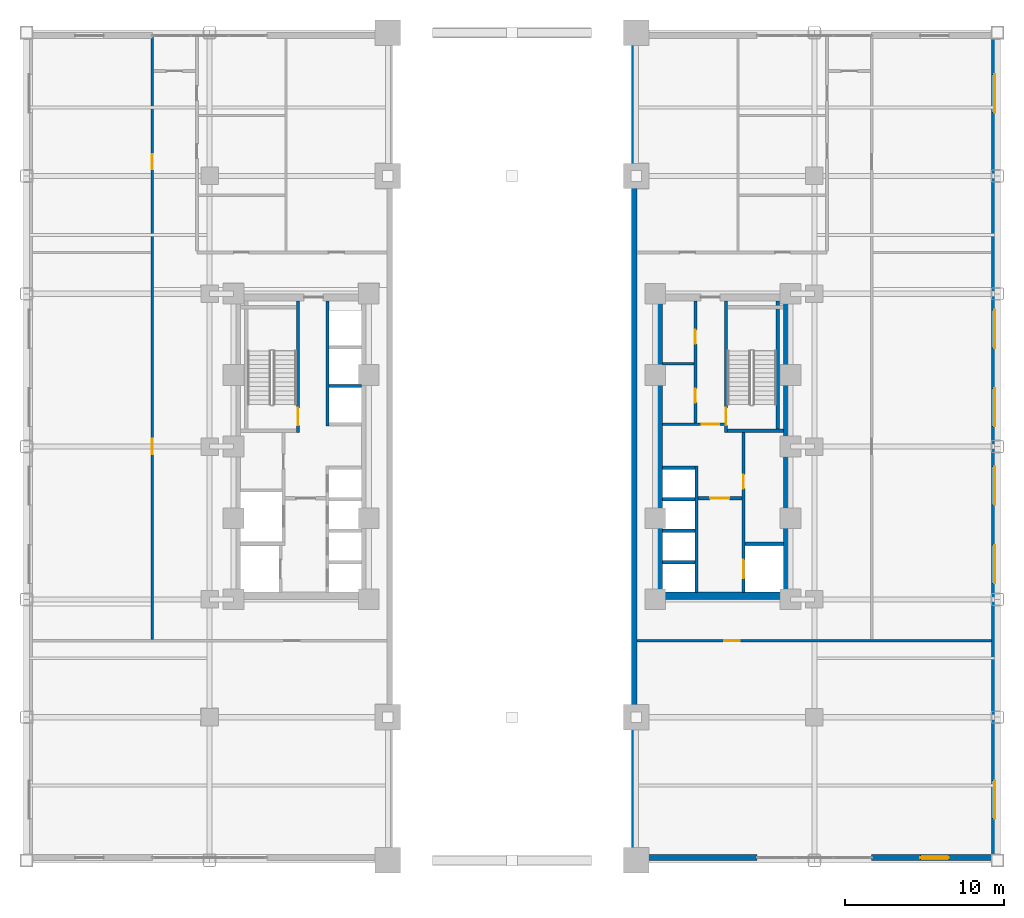
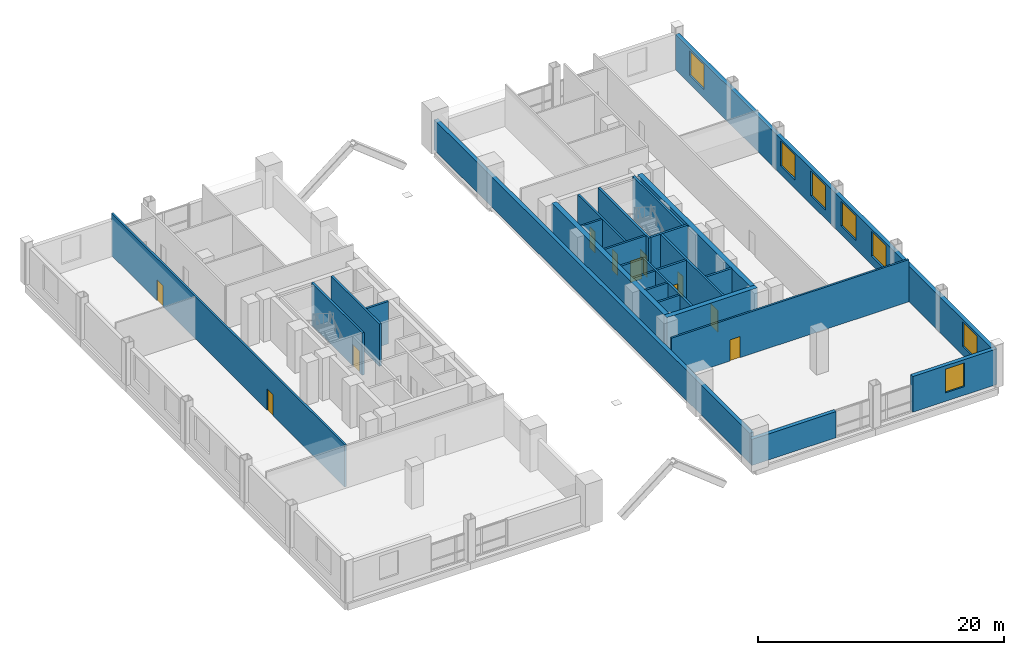
# One storey, part 4 of 14: 26 walls, 11 doors, 7 windows, 18 openings.
"""IFC4 building model written with IfcOpenShell, lengths in metres."""

from ifc_helpers import new_model, si_unit, direction, frame, frame_2d, origin, place, context, subcontext, project, spatial, rectangle, extrude, source, transform, mapped, material, layer, layer_set, type_object, type_shapes, element, fill, save


model = new_model("IFC4")

# Units and contexts
model_context = context("Model", 3, precision=1e-05, world=origin(), true_north=direction((0.0, 1.0)))
body_context = subcontext(model_context, "Body", "Model", "MODEL_VIEW")
ifc_project = project(units=[si_unit("LENGTHUNIT", "METRE"), si_unit("AREAUNIT", "SQUARE_METRE"), si_unit("VOLUMEUNIT", "CUBIC_METRE"), si_unit("PLANEANGLEUNIT", "RADIAN"), si_unit("MASSUNIT", "GRAM", prefix="KILO")], contexts=[model_context])

# Site, building, storey
site_placement = place(None, origin())
site = spatial("IfcSite", under=ifc_project, at=site_placement, CompositionType="ELEMENT")
building_placement = place(site_placement, origin())
building = spatial("IfcBuilding", under=site, at=building_placement, Name="Nuvemarco Arch Tower", CompositionType="ELEMENT")
storey_placement = place(building_placement, frame((0.0, 0.0, 13.800048828125)))
storey = spatial("IfcBuildingStorey", under=building, at=storey_placement, Name="L03", CompositionType="ELEMENT", Elevation=13.800048828125)

# Wall
ifc_material_1 = material(Name="Precast concrete C45/55", Category="concrete")
ifc_layer_1 = layer(ifc_material_1, 0.360107421875, Name="EW-POD-360")
ifc_layer_set_1 = layer_set([ifc_layer_1], Name="Precast concrete C45/55")
wall_type_1 = type_object("IfcWallType", Name="EW-POD-360", PredefinedType="STANDARD", material=ifc_layer_set_1)
wall_1_placement = place(storey_placement, frame((7.5, -25.820068359375, 0.0), z_axis=(0.0, 0.0, 1.0), x_axis=(1.0, 0.0, 0.0)))
element("IfcWall", 1, at=wall_1_placement, inside=storey, type_object=wall_type_1, Name="L03 exterior precast pier wall south left", PredefinedType="STANDARD", context=body_context, shape_type="SweptSolid", body=[
    extrude(rectangle(XDim=7.89990234375, YDim=0.360107421875, at=frame_2d((3.949951171875, 0.0))), origin(), (0.0, 0.0, 1.0), 2.5849609375),
])

# Wall, opening, window
wall_2_placement = place(storey_placement, frame((22.60009765625, -25.820068359375, 0.0), z_axis=(0.0, 0.0, 1.0), x_axis=(1.0, 0.0, 0.0)))
wall_2 = element("IfcWall", 2, at=wall_2_placement, inside=storey, type_object=wall_type_1, Name="L03 exterior precast pier wall south right", PredefinedType="STANDARD", context=body_context, shape_type="SweptSolid", body=[
    extrude(rectangle(XDim=7.89990234375, YDim=0.360107421875, at=frame_2d((3.949951171875, 0.0))), origin(), (0.0, 0.0, 1.0), 3.534912109375),
])
opening_1_placement = place(wall_2_placement, frame((3.050048828125, 0.0, 0.85009765625)))
opening_1 = element("IfcOpeningElement", 3, at=opening_1_placement, cuts=wall_2, Name="Opening WN-2", PredefinedType="OPENING", context=body_context, shape_type="SweptSolid", body=[
    extrude(rectangle(XDim=1.800048828125, YDim=2.35009765625, at=frame_2d((0.89990234375, 1.175048828125))), frame((0.0, 0.18994140625, 0.0), z_axis=(0.0, -1.0, 0.0), x_axis=(1.0, 0.0, 0.0)), (0.0, 0.0, 1.0), 0.380126953125),
])
ifc_material_2 = material(Name="Insulated solar-control glass", Category="glass")
window_type_1 = type_object("IfcWindowType", Name="WN-POD-1800x2350", PartitioningType="DOUBLE_PANEL_VERTICAL", PredefinedType="WINDOW", material=ifc_material_2)
shared_shape_1 = source(origin(), body_context, "Body", "SweptSolid", [
    extrude(rectangle(XDim=1.800048828125, YDim=2.35009765625, at=frame_2d((0.89990234375, 1.175048828125))), frame((0.0, 0.030029296875, 0.0), z_axis=(0.0, -1.0, 0.0), x_axis=(1.0, 0.0, 0.0)), (0.0, 0.0, 1.0), 0.06005859375),
])
type_shapes(window_type_1, [shared_shape_1])
window_1_placement = place(opening_1_placement, origin())
window_1 = element("IfcWindow", 4, at=window_1_placement, inside=storey, type_object=window_type_1, Name="L03 punched facade window 1", OverallHeight=2.35009765625, OverallWidth=1.800048828125, PartitioningType="SINGLE_PANEL", PredefinedType="WINDOW", context=body_context, shape_type="MappedRepresentation", body=[
    mapped(shared_shape_1, transform((0.0, 0.0, 0.0), scale=1.0)),
])
fill(opening_1, window_1)

# Wall, openings, windows
wall_3_placement = place(storey_placement, frame((30.320068359375, -25.64404296875, 0.0), z_axis=(0.0, 0.0, 1.0), x_axis=(0.0, 1.0, 0.0)))
wall_3 = element("IfcWall", 5, at=wall_3_placement, inside=storey, type_object=wall_type_1, Name="L03 exterior precast facade wall 2", PredefinedType="STANDARD", context=body_context, shape_type="SweptSolid", body=[
    extrude(rectangle(XDim=51.2880859375, YDim=0.360107421875, at=frame_2d((25.64404296875, 0.0))), origin(), (0.0, 0.0, 1.0), 3.534912109375),
])
opening_2_placement = place(wall_3_placement, frame((2.264404296875, 0.0, 0.85009765625)))
opening_2 = element("IfcOpeningElement", 6, at=opening_2_placement, cuts=wall_3, Name="Opening WN-1", PredefinedType="OPENING", context=body_context, shape_type="SweptSolid", body=[
    extrude(rectangle(XDim=2.39990234375, YDim=2.449951171875, at=frame_2d((1.199951171875, 1.22509765625))), frame((0.0, 0.18994140625, 0.0), z_axis=(0.0, -1.0, 0.0), x_axis=(1.0, 0.0, 0.0)), (0.0, 0.0, 1.0), 0.380126953125),
])
opening_3_placement = place(wall_3_placement, frame((17.05078125, 0.0, 0.85009765625)))
opening_3 = element("IfcOpeningElement", 7, at=opening_3_placement, cuts=wall_3, Name="Opening WN-1", PredefinedType="OPENING", context=body_context, shape_type="SweptSolid", body=[
    extrude(rectangle(XDim=2.39990234375, YDim=2.449951171875, at=frame_2d((1.199951171875, 1.22509765625))), frame((0.0, 0.18994140625, 0.0), z_axis=(0.0, -1.0, 0.0), x_axis=(1.0, 0.0, 0.0)), (0.0, 0.0, 1.0), 0.380126953125),
])
opening_4_placement = place(wall_3_placement, frame((21.9794921875, 0.0, 0.85009765625)))
opening_4 = element("IfcOpeningElement", 8, at=opening_4_placement, cuts=wall_3, Name="Opening WN-1", PredefinedType="OPENING", context=body_context, shape_type="SweptSolid", body=[
    extrude(rectangle(XDim=2.39990234375, YDim=2.449951171875, at=frame_2d((1.199951171875, 1.22509765625))), frame((0.0, 0.18994140625, 0.0), z_axis=(0.0, -1.0, 0.0), x_axis=(1.0, 0.0, 0.0)), (0.0, 0.0, 1.0), 0.380126953125),
])
opening_5_placement = place(wall_3_placement, frame((26.908447265625, 0.0, 0.85009765625)))
opening_5 = element("IfcOpeningElement", 9, at=opening_5_placement, cuts=wall_3, Name="Opening WN-1", PredefinedType="OPENING", context=body_context, shape_type="SweptSolid", body=[
    extrude(rectangle(XDim=2.39990234375, YDim=2.449951171875, at=frame_2d((1.199951171875, 1.22509765625))), frame((0.0, 0.18994140625, 0.0), z_axis=(0.0, -1.0, 0.0), x_axis=(1.0, 0.0, 0.0)), (0.0, 0.0, 1.0), 0.380126953125),
])
opening_6_placement = place(wall_3_placement, frame((31.837158203125, 0.0, 0.85009765625)))
opening_6 = element("IfcOpeningElement", 10, at=opening_6_placement, cuts=wall_3, Name="Opening WN-1", PredefinedType="OPENING", context=body_context, shape_type="SweptSolid", body=[
    extrude(rectangle(XDim=2.39990234375, YDim=2.449951171875, at=frame_2d((1.199951171875, 1.22509765625))), frame((0.0, 0.18994140625, 0.0), z_axis=(0.0, -1.0, 0.0), x_axis=(1.0, 0.0, 0.0)), (0.0, 0.0, 1.0), 0.380126953125),
])
opening_7_placement = place(wall_3_placement, frame((46.62353515625, 0.0, 0.85009765625)))
opening_7 = element("IfcOpeningElement", 11, at=opening_7_placement, cuts=wall_3, Name="Opening WN-1", PredefinedType="OPENING", context=body_context, shape_type="SweptSolid", body=[
    extrude(rectangle(XDim=2.39990234375, YDim=2.449951171875, at=frame_2d((1.199951171875, 1.22509765625))), frame((0.0, 0.18994140625, 0.0), z_axis=(0.0, -1.0, 0.0), x_axis=(1.0, 0.0, 0.0)), (0.0, 0.0, 1.0), 0.380126953125),
])
window_type_2 = type_object("IfcWindowType", Name="WN-POD-2400x2450", PartitioningType="DOUBLE_PANEL_VERTICAL", PredefinedType="WINDOW", material=ifc_material_2)
shared_shape_2 = source(origin(), body_context, "Body", "SweptSolid", [
    extrude(rectangle(XDim=2.39990234375, YDim=2.449951171875, at=frame_2d((1.199951171875, 1.22509765625))), frame((0.0, 0.030029296875, 0.0), z_axis=(0.0, -1.0, 0.0), x_axis=(1.0, 0.0, 0.0)), (0.0, 0.0, 1.0), 0.06005859375),
])
type_shapes(window_type_2, [shared_shape_2])
window_2_placement = place(opening_2_placement, origin())
window_2 = element("IfcWindow", 12, at=window_2_placement, inside=storey, type_object=window_type_2, Name="L03 punched facade window 1", OverallHeight=2.449951171875, OverallWidth=2.39990234375, PartitioningType="SINGLE_PANEL", PredefinedType="WINDOW", context=body_context, shape_type="MappedRepresentation", body=[
    mapped(shared_shape_2, transform((0.0, 0.0, 0.0), scale=1.0)),
])
fill(opening_2, window_2)
window_3_placement = place(opening_3_placement, origin())
window_3 = element("IfcWindow", 13, at=window_3_placement, inside=storey, type_object=window_type_2, Name="L03 punched facade window 4", OverallHeight=2.449951171875, OverallWidth=2.39990234375, PartitioningType="SINGLE_PANEL", PredefinedType="WINDOW", context=body_context, shape_type="MappedRepresentation", body=[
    mapped(shared_shape_2, transform((0.0, 0.0, 0.0), scale=1.0)),
])
fill(opening_3, window_3)
window_4_placement = place(opening_4_placement, origin())
window_4 = element("IfcWindow", 14, at=window_4_placement, inside=storey, type_object=window_type_2, Name="L03 punched facade window 5", OverallHeight=2.449951171875, OverallWidth=2.39990234375, PartitioningType="SINGLE_PANEL", PredefinedType="WINDOW", context=body_context, shape_type="MappedRepresentation", body=[
    mapped(shared_shape_2, transform((0.0, 0.0, 0.0), scale=1.0)),
])
fill(opening_4, window_4)
window_5_placement = place(opening_5_placement, origin())
window_5 = element("IfcWindow", 15, at=window_5_placement, inside=storey, type_object=window_type_2, Name="L03 punched facade window 6", OverallHeight=2.449951171875, OverallWidth=2.39990234375, PartitioningType="SINGLE_PANEL", PredefinedType="WINDOW", context=body_context, shape_type="MappedRepresentation", body=[
    mapped(shared_shape_2, transform((0.0, 0.0, 0.0), scale=1.0)),
])
fill(opening_5, window_5)
window_6_placement = place(opening_6_placement, origin())
window_6 = element("IfcWindow", 16, at=window_6_placement, inside=storey, type_object=window_type_2, Name="L03 punched facade window 7", OverallHeight=2.449951171875, OverallWidth=2.39990234375, PartitioningType="SINGLE_PANEL", PredefinedType="WINDOW", context=body_context, shape_type="MappedRepresentation", body=[
    mapped(shared_shape_2, transform((0.0, 0.0, 0.0), scale=1.0)),
])
fill(opening_6, window_6)
window_7_placement = place(opening_7_placement, origin())
window_7 = element("IfcWindow", 17, at=window_7_placement, inside=storey, type_object=window_type_2, Name="L03 punched facade window 10", OverallHeight=2.449951171875, OverallWidth=2.39990234375, PartitioningType="SINGLE_PANEL", PredefinedType="WINDOW", context=body_context, shape_type="MappedRepresentation", body=[
    mapped(shared_shape_2, transform((0.0, 0.0, 0.0), scale=1.0)),
])
fill(opening_7, window_7)

# Walls
wall_4_placement = place(storey_placement, frame((7.679931640625, -25.64404296875, 0.0), z_axis=(0.0, 0.0, 1.0), x_axis=(0.0, 1.0, 0.0)))
element("IfcWall", 18, at=wall_4_placement, inside=storey, type_object=wall_type_1, Name="L03 exterior precast facade wall 4", PredefinedType="STANDARD", context=body_context, shape_type="SweptSolid", body=[
    extrude(rectangle(XDim=51.2880859375, YDim=0.360107421875, at=frame_2d((25.64404296875, 0.0))), origin(), (0.0, 0.0, 1.0), 2.98486328125),
])
ifc_material_3 = material(Name="Concrete C60/75", Category="concrete")
ifc_layer_2 = layer(ifc_material_3, 0.449951171875, Name="WL-CORE-450")
ifc_layer_set_2 = layer_set([ifc_layer_2], Name="Concrete C60/75")
wall_type_2 = type_object("IfcWallType", Name="WL-CORE-450", PredefinedType="SHEAR", material=ifc_layer_set_2)
wall_5_placement = place(storey_placement, frame((9.0, -9.375, 0.0), z_axis=(0.0, 0.0, 1.0), x_axis=(1.0, 0.0, 0.0)))
element("IfcWall", 19, at=wall_5_placement, inside=storey, type_object=wall_type_2, Name="L03 E-core shear wall S", PredefinedType="SHEAR", context=body_context, shape_type="SweptSolid", body=[
    extrude(rectangle(XDim=8.5, YDim=0.449951171875, at=frame_2d((4.25, 0.0))), origin(), (0.0, 0.0, 1.0), 4.199951171875),
])
for number, where, z_axis, x_axis, name in (
    (20, (9.22509765625, -9.155029296875, 0.0), (0.0, 0.0, 1.0), (0.0, 1.0, 0.0), "L03 E-core shear wall W"),
    (21, (17.27490234375, -9.155029296875, 0.0), (0.0, 0.0, 1.0), (0.0, 1.0, 0.0), "L03 E-core shear wall E"),
):
    element("IfcWall", number, at=place(storey_placement, frame(where, z_axis=z_axis, x_axis=x_axis)), inside=storey, type_object=wall_type_2, Name=name, PredefinedType="SHEAR", context=body_context, shape_type="SweptSolid", body=[
        extrude(rectangle(XDim=18.31005859375, YDim=0.449951171875, at=frame_2d((9.155029296875, 0.0))), origin(), (0.0, 0.0, 1.0), 4.199951171875),
    ])

# Wall, opening, door
ifc_material_4 = material(Name="Fire-rated gypsum drywall partition")
ifc_layer_3 = layer(ifc_material_4, 0.179931640625, Name="WL-CORR-180")
ifc_layer_set_3 = layer_set([ifc_layer_3], Name="Fire-rated gypsum drywall partition")
wall_type_3 = type_object("IfcWallType", Name="WL-CORR-180", PredefinedType="PARTITIONING", material=ifc_layer_set_3)
wall_6_placement = place(storey_placement, frame((9.445068359375, 1.39990234375, 0.0), z_axis=(0.0, 0.0, 1.0), x_axis=(1.0, 0.0, 0.0)))
wall_6 = element("IfcWall", 22, at=wall_6_placement, inside=storey, type_object=wall_type_3, Name="L03 interior wall IW-L03-EK-S", PredefinedType="PARTITIONING", context=body_context, shape_type="SweptSolid", body=[
    extrude(rectangle(XDim=3.89990234375, YDim=0.179931640625, at=frame_2d((1.949951171875, 0.0))), origin(), (0.0, 0.0, 1.0), 4.18994140625),
])
opening_8_placement = place(wall_6_placement, frame((2.465087890625, 0.0, 0.0)))
opening_8 = element("IfcOpeningElement", 23, at=opening_8_placement, cuts=wall_6, Name="Opening FD-1", PredefinedType="OPENING", context=body_context, shape_type="SweptSolid", body=[
    extrude(rectangle(XDim=1.10009765625, YDim=2.14990234375, at=frame_2d((0.550048828125, 1.074951171875))), frame((0.0, 0.099853515625, 0.0), z_axis=(0.0, -1.0, 0.0), x_axis=(1.0, 0.0, 0.0)), (0.0, 0.0, 1.0), 0.199951171875),
])
ifc_material_5 = material(Name="Anodised steel fire door", Category="steel")
door_type_1 = type_object("IfcDoorType", Name="DR-STAIR-FD", OperationType="NOTDEFINED", PredefinedType="DOOR", material=ifc_material_5)
shared_shape_3 = source(origin(), body_context, "Body", "SweptSolid", [
    extrude(rectangle(XDim=1.10009765625, YDim=2.14990234375, at=frame_2d((0.550048828125, 1.074951171875))), frame((0.0, 0.02490234375, 0.0), z_axis=(0.0, -1.0, 0.0), x_axis=(1.0, 0.0, 0.0)), (0.0, 0.0, 1.0), 0.050048828125),
])
type_shapes(door_type_1, [shared_shape_3])
door_1_placement = place(opening_8_placement, origin())
door_1 = element("IfcDoor", 24, at=door_1_placement, inside=storey, type_object=door_type_1, Name="L03 door FD-L03-ENPASS", OperationType="SINGLE_SWING_LEFT", OverallHeight=2.14990234375, OverallWidth=1.10009765625, PredefinedType="DOOR", context=body_context, shape_type="MappedRepresentation", body=[
    mapped(shared_shape_3, transform((0.0, 0.0, 0.0), scale=1.0)),
])
fill(opening_8, door_1)

# Wall, openings, doors
wall_7_placement = place(storey_placement, frame((11.52001953125, 1.489990234375, 0.0), z_axis=(0.0, 0.0, 1.0), x_axis=(0.0, 1.0, 0.0)))
wall_7 = element("IfcWall", 25, at=wall_7_placement, inside=storey, type_object=wall_type_3, Name="L03 interior wall IW-L03-EK2", PredefinedType="PARTITIONING", context=body_context, shape_type="SweptSolid", body=[
    extrude(rectangle(XDim=7.6650390625, YDim=0.179931640625, at=frame_2d((3.83251953125, 0.0))), origin(), (0.0, 0.0, 1.0), 4.18994140625),
])
opening_9_placement = place(wall_7_placement, frame((1.27001953125, 0.0, 0.0)))
opening_9 = element("IfcOpeningElement", 26, at=opening_9_placement, cuts=wall_7, Name="Opening FD-4", PredefinedType="OPENING", context=body_context, shape_type="SweptSolid", body=[
    extrude(rectangle(XDim=0.8798828125, YDim=2.10009765625, at=frame_2d((0.43994140625, 1.050048828125))), frame((0.0, 0.099853515625, 0.0), z_axis=(0.0, -1.0, 0.0), x_axis=(1.0, 0.0, 0.0)), (0.0, 0.0, 1.0), 0.199951171875),
])
opening_10_placement = place(wall_7_placement, frame((4.969970703125, 0.0, 0.0)))
opening_10 = element("IfcOpeningElement", 27, at=opening_10_placement, cuts=wall_7, Name="Opening FD-4", PredefinedType="OPENING", context=body_context, shape_type="SweptSolid", body=[
    extrude(rectangle(XDim=0.8798828125, YDim=2.10009765625, at=frame_2d((0.43994140625, 1.050048828125))), frame((0.0, 0.099853515625, 0.0), z_axis=(0.0, -1.0, 0.0), x_axis=(1.0, 0.0, 0.0)), (0.0, 0.0, 1.0), 0.199951171875),
])
door_type_2 = type_object("IfcDoorType", Name="DR-RISER-FD", OperationType="NOTDEFINED", PredefinedType="DOOR", material=ifc_material_5)
shared_shape_4 = source(origin(), body_context, "Body", "SweptSolid", [
    extrude(rectangle(XDim=0.8798828125, YDim=2.10009765625, at=frame_2d((0.43994140625, 1.050048828125))), frame((0.0, 0.02490234375, 0.0), z_axis=(0.0, -1.0, 0.0), x_axis=(1.0, 0.0, 0.0)), (0.0, 0.0, 1.0), 0.050048828125),
])
type_shapes(door_type_2, [shared_shape_4])
door_2_placement = place(opening_9_placement, origin())
door_2 = element("IfcDoor", 28, at=door_2_placement, inside=storey, type_object=door_type_2, Name="L03 door FD-L03-EK2A", OperationType="SINGLE_SWING_RIGHT", OverallHeight=2.10009765625, OverallWidth=0.8798828125, PredefinedType="DOOR", context=body_context, shape_type="MappedRepresentation", body=[
    mapped(shared_shape_4, transform((0.0, 0.0, 0.0), scale=1.0)),
])
fill(opening_9, door_2)
door_3_placement = place(opening_10_placement, origin())
door_3 = element("IfcDoor", 29, at=door_3_placement, inside=storey, type_object=door_type_2, Name="L03 door FD-L03-EK2B", OperationType="SINGLE_SWING_LEFT", OverallHeight=2.10009765625, OverallWidth=0.8798828125, PredefinedType="DOOR", context=body_context, shape_type="MappedRepresentation", body=[
    mapped(shared_shape_4, transform((0.0, 0.0, 0.0), scale=1.0)),
])
fill(opening_10, door_3)

# Wall
wall_8_placement = place(storey_placement, frame((9.445068359375, 5.199951171875, 0.0), z_axis=(0.0, 0.0, 1.0), x_axis=(1.0, 0.0, 0.0)))
element("IfcWall", 30, at=wall_8_placement, inside=storey, type_object=wall_type_3, Name="L03 interior wall IW-L03-EK2H", PredefinedType="PARTITIONING", context=body_context, shape_type="SweptSolid", body=[
    extrude(rectangle(XDim=1.98486328125, YDim=0.179931640625, at=frame_2d((0.992431640625, 0.0))), origin(), (0.0, 0.0, 1.0), 4.18994140625),
])

# Wall, opening, door
wall_9_placement = place(storey_placement, frame((7.860107421875, -12.199951171875, 0.0), z_axis=(0.0, 0.0, 1.0), x_axis=(1.0, 0.0, 0.0)))
wall_9 = element("IfcWall", 31, at=wall_9_placement, inside=storey, type_object=wall_type_3, Name="L03 interior wall IW-L03-002", PredefinedType="PARTITIONING", context=body_context, shape_type="SweptSolid", body=[
    extrude(rectangle(XDim=22.27978515625, YDim=0.179931640625, at=frame_2d((11.139892578125, 0.0))), origin(), (0.0, 0.0, 1.0), 4.18994140625),
])
opening_11_placement = place(wall_9_placement, frame((5.489990234375, 0.0, 0.0)))
opening_11 = element("IfcOpeningElement", 32, at=opening_11_placement, cuts=wall_9, Name="Opening FD-5", PredefinedType="OPENING", context=body_context, shape_type="SweptSolid", body=[
    extrude(rectangle(XDim=0.9599609375, YDim=2.10009765625, at=frame_2d((0.47998046875, 1.050048828125))), frame((0.0, 0.099853515625, 0.0), z_axis=(0.0, -1.0, 0.0), x_axis=(1.0, 0.0, 0.0)), (0.0, 0.0, 1.0), 0.199951171875),
])
ifc_material_6 = material(Name="Timber fire door", Category="wood")
door_type_3 = type_object("IfcDoorType", Name="DR-CORR-FD", OperationType="NOTDEFINED", PredefinedType="DOOR", material=ifc_material_6)
shared_shape_5 = source(origin(), body_context, "Body", "SweptSolid", [
    extrude(rectangle(XDim=0.9599609375, YDim=2.10009765625, at=frame_2d((0.47998046875, 1.050048828125))), frame((0.0, 0.02490234375, 0.0), z_axis=(0.0, -1.0, 0.0), x_axis=(1.0, 0.0, 0.0)), (0.0, 0.0, 1.0), 0.050048828125),
])
type_shapes(door_type_3, [shared_shape_5])
door_4_placement = place(opening_11_placement, origin())
door_4 = element("IfcDoor", 33, at=door_4_placement, inside=storey, type_object=door_type_3, Name="L03 door DR-L03-POD_ECAFE", OperationType="SINGLE_SWING_LEFT", OverallHeight=2.10009765625, OverallWidth=0.9599609375, PredefinedType="DOOR", context=body_context, shape_type="MappedRepresentation", body=[
    mapped(shared_shape_5, transform((0.0, 0.0, 0.0), scale=1.0)),
])
fill(opening_11, door_4)

# Wall, openings, doors
wall_10_placement = place(storey_placement, frame((-22.60009765625, -12.114013671875, 0.0), z_axis=(0.0, 0.0, 1.0), x_axis=(0.0, 1.0, 0.0)))
wall_10 = element("IfcWall", 34, at=wall_10_placement, inside=storey, type_object=wall_type_3, Name="L03 interior wall IW-L03-013", PredefinedType="PARTITIONING", context=body_context, shape_type="SweptSolid", body=[
    extrude(rectangle(XDim=37.9189453125, YDim=0.179931640625, at=frame_2d((18.95947265625, 0.0))), origin(), (0.0, 0.0, 1.0), 4.18994140625),
])
opening_12_placement = place(wall_10_placement, frame((11.634033203125, 0.0, 0.0)))
opening_12 = element("IfcOpeningElement", 35, at=opening_12_placement, cuts=wall_10, Name="Opening FD-5", PredefinedType="OPENING", context=body_context, shape_type="SweptSolid", body=[
    extrude(rectangle(XDim=0.9599609375, YDim=2.10009765625, at=frame_2d((0.47998046875, 1.050048828125))), frame((0.0, 0.099853515625, 0.0), z_axis=(0.0, -1.0, 0.0), x_axis=(1.0, 0.0, 0.0)), (0.0, 0.0, 1.0), 0.199951171875),
])
opening_13_placement = place(wall_10_placement, frame((29.533935546875, 0.0, 0.0)))
opening_13 = element("IfcOpeningElement", 36, at=opening_13_placement, cuts=wall_10, Name="Opening FD-5", PredefinedType="OPENING", context=body_context, shape_type="SweptSolid", body=[
    extrude(rectangle(XDim=0.9599609375, YDim=2.10009765625, at=frame_2d((0.47998046875, 1.050048828125))), frame((0.0, 0.099853515625, 0.0), z_axis=(0.0, -1.0, 0.0), x_axis=(1.0, 0.0, 0.0)), (0.0, 0.0, 1.0), 0.199951171875),
])
door_5_placement = place(opening_12_placement, origin())
door_5 = element("IfcDoor", 37, at=door_5_placement, inside=storey, type_object=door_type_3, Name="L03 door DR-L03-POD_WCOW", OperationType="SINGLE_SWING_RIGHT", OverallHeight=2.10009765625, OverallWidth=0.9599609375, PredefinedType="DOOR", context=body_context, shape_type="MappedRepresentation", body=[
    mapped(shared_shape_5, transform((0.0, 0.0, 0.0), scale=1.0)),
])
fill(opening_12, door_5)
door_6_placement = place(opening_13_placement, origin())
door_6 = element("IfcDoor", 38, at=door_6_placement, inside=storey, type_object=door_type_3, Name="L03 door DR-L03-POD_WSEM", OperationType="SINGLE_SWING_RIGHT", OverallHeight=2.10009765625, OverallWidth=0.9599609375, PredefinedType="DOOR", context=body_context, shape_type="MappedRepresentation", body=[
    mapped(shared_shape_5, transform((0.0, 0.0, 0.0), scale=1.0)),
])
fill(opening_13, door_6)

# Wall, opening, door
ifc_material_7 = material(Name="Concrete C50/60", Category="concrete")
ifc_layer_4 = layer(ifc_material_7, 0.199951171875, Name="WL-SHAFT-220")
ifc_layer_set_4 = layer_set([ifc_layer_4], Name="Concrete C50/60")
wall_type_4 = type_object("IfcWallType", Name="WL-SHAFT-220", PredefinedType="SHEAR", material=ifc_layer_set_4)
wall_11_placement = place(storey_placement, frame((-13.43994140625, 0.89990234375, 0.0), z_axis=(0.0, 0.0, 1.0), x_axis=(0.0, 1.0, 0.0)))
wall_11 = element("IfcWall", 39, at=wall_11_placement, inside=storey, type_object=wall_type_4, Name="L03 structural shaft wall SW-L03-W-ST1E", PredefinedType="SHEAR", context=body_context, shape_type="SweptSolid", body=[
    extrude(rectangle(XDim=8.255126953125, YDim=0.199951171875, at=frame_2d((4.12744140625, 0.0))), origin(), (0.0, 0.0, 1.0), 4.199951171875),
])
opening_14_placement = place(wall_11_placement, frame((1.530029296875, 0.0, 0.0), z_axis=(0.0, 0.0, 1.0), x_axis=(-1.0, 0.0, 0.0)))
opening_14 = element("IfcOpeningElement", 40, at=opening_14_placement, cuts=wall_11, Name="Opening FD-1", PredefinedType="OPENING", context=body_context, shape_type="SweptSolid", body=[
    extrude(rectangle(XDim=1.10009765625, YDim=2.14990234375, at=frame_2d((0.550048828125, 1.074951171875))), frame((0.0, 0.10986328125, 0.0), z_axis=(0.0, -1.0, 0.0), x_axis=(1.0, 0.0, 0.0)), (0.0, 0.0, 1.0), 0.219970703125),
])
door_7_placement = place(opening_14_placement, origin())
door_7 = element("IfcDoor", 41, at=door_7_placement, inside=storey, type_object=door_type_1, Name="L03 door FD-L03-ST1", OperationType="SINGLE_SWING_LEFT", OverallHeight=2.14990234375, OverallWidth=1.10009765625, PredefinedType="DOOR", context=body_context, shape_type="MappedRepresentation", body=[
    mapped(shared_shape_3, transform((0.0, 0.0, 0.0), scale=1.0)),
])
fill(opening_14, door_7)

# Walls
wall_12_placement = place(storey_placement, frame((-11.60009765625, 1.300048828125, 0.0), z_axis=(0.0, 0.0, 1.0), x_axis=(0.0, 1.0, 0.0)))
element("IfcWall", 42, at=wall_12_placement, inside=storey, type_object=wall_type_4, Name="L03 structural shaft wall SW-L03-W-PHW", PredefinedType="SHEAR", context=body_context, shape_type="SweptSolid", body=[
    extrude(rectangle(XDim=7.85498046875, YDim=0.199951171875, at=frame_2d((3.927490234375, 0.0))), origin(), (0.0, 0.0, 1.0), 4.199951171875),
])
wall_13_placement = place(storey_placement, frame((-11.5048828125, 3.800048828125, 0.0), z_axis=(0.0, 0.0, 1.0), x_axis=(1.0, 0.0, 0.0)))
element("IfcWall", 43, at=wall_13_placement, inside=storey, type_object=wall_type_4, Name="L03 structural shaft wall SW-L03-W-PHD2", PredefinedType="SHEAR", context=body_context, shape_type="SweptSolid", body=[
    extrude(rectangle(XDim=2.059814453125, YDim=0.199951171875, at=frame_2d((1.02978515625, 0.0))), origin(), (0.0, 0.0, 1.0), 4.199951171875),
])

# Wall, opening, door
wall_14_placement = place(storey_placement, frame((13.43994140625, 0.89990234375, 0.0), z_axis=(0.0, 0.0, 1.0), x_axis=(0.0, 1.0, 0.0)))
wall_14 = element("IfcWall", 44, at=wall_14_placement, inside=storey, type_object=wall_type_4, Name="L03 structural shaft wall SW-L03-E-ST2W", PredefinedType="SHEAR", context=body_context, shape_type="SweptSolid", body=[
    extrude(rectangle(XDim=8.255126953125, YDim=0.199951171875, at=frame_2d((4.12744140625, 0.0))), origin(), (0.0, 0.0, 1.0), 4.199951171875),
])
opening_15_placement = place(wall_14_placement, frame((0.429931640625, 0.0, 0.0)))
opening_15 = element("IfcOpeningElement", 45, at=opening_15_placement, cuts=wall_14, Name="Opening FD-1", PredefinedType="OPENING", context=body_context, shape_type="SweptSolid", body=[
    extrude(rectangle(XDim=1.10009765625, YDim=2.14990234375, at=frame_2d((0.550048828125, 1.074951171875))), frame((0.0, 0.10986328125, 0.0), z_axis=(0.0, -1.0, 0.0), x_axis=(1.0, 0.0, 0.0)), (0.0, 0.0, 1.0), 0.219970703125),
])
door_8_placement = place(opening_15_placement, origin())
door_8 = element("IfcDoor", 46, at=door_8_placement, inside=storey, type_object=door_type_1, Name="L03 door FD-L03-ST2", OperationType="SINGLE_SWING_RIGHT", OverallHeight=2.14990234375, OverallWidth=1.10009765625, PredefinedType="DOOR", context=body_context, shape_type="MappedRepresentation", body=[
    mapped(shared_shape_3, transform((0.0, 0.0, 0.0), scale=1.0)),
])
fill(opening_15, door_8)

# Walls
wall_15_placement = place(storey_placement, frame((13.534912109375, 1.0, 0.0), z_axis=(0.0, 0.0, 1.0), x_axis=(1.0, 0.0, 0.0)))
element("IfcWall", 47, at=wall_15_placement, inside=storey, type_object=wall_type_4, Name="L03 structural shaft wall SW-L03-E-ST2S", PredefinedType="SHEAR", context=body_context, shape_type="SweptSolid", body=[
    extrude(rectangle(XDim=3.52001953125, YDim=0.199951171875, at=frame_2d((1.760009765625, 0.0))), origin(), (0.0, 0.0, 1.0), 4.199951171875),
])
wall_16_placement = place(storey_placement, frame((16.699951171875, 1.094970703125, 0.0), z_axis=(0.0, 0.0, 1.0), x_axis=(0.0, 1.0, 0.0)))
element("IfcWall", 48, at=wall_16_placement, inside=storey, type_object=wall_type_4, Name="L03 structural shaft wall SW-L03-E-ST2E", PredefinedType="SHEAR", context=body_context, shape_type="SweptSolid", body=[
    extrude(rectangle(XDim=8.06005859375, YDim=0.199951171875, at=frame_2d((4.030029296875, 0.0))), origin(), (0.0, 0.0, 1.0), 4.199951171875),
])

# Wall, openings, doors
wall_17_placement = place(storey_placement, frame((14.550048828125, -9.155029296875, 0.0), z_axis=(0.0, 0.0, 1.0), x_axis=(0.0, 1.0, 0.0)))
wall_17 = element("IfcWall", 49, at=wall_17_placement, inside=storey, type_object=wall_type_4, Name="L03 structural shaft wall SW-L03-E-SHW", PredefinedType="SHEAR", context=body_context, shape_type="SweptSolid", body=[
    extrude(rectangle(XDim=10.06005859375, YDim=0.199951171875, at=frame_2d((5.030029296875, 0.0))), origin(), (0.0, 0.0, 1.0), 4.199951171875),
])
opening_16_placement = place(wall_17_placement, frame((6.514892578125, 0.0, 0.0)))
opening_16 = element("IfcOpeningElement", 50, at=opening_16_placement, cuts=wall_17, Name="Opening FD-4", PredefinedType="OPENING", context=body_context, shape_type="SweptSolid", body=[
    extrude(rectangle(XDim=0.8798828125, YDim=2.10009765625, at=frame_2d((0.43994140625, 1.050048828125))), frame((0.0, 0.10986328125, 0.0), z_axis=(0.0, -1.0, 0.0), x_axis=(1.0, 0.0, 0.0)), (0.0, 0.0, 1.0), 0.219970703125),
])
opening_17_placement = place(wall_17_placement, frame((0.8798828125, 0.0, 0.0)))
opening_17 = element("IfcOpeningElement", 51, at=opening_17_placement, cuts=wall_17, Name="Opening LD-2", PredefinedType="OPENING", context=body_context, shape_type="SweptSolid", body=[
    extrude(rectangle(XDim=1.14990234375, YDim=2.14990234375, at=frame_2d((0.574951171875, 1.074951171875))), frame((0.0, 0.10986328125, 0.0), z_axis=(0.0, -1.0, 0.0), x_axis=(1.0, 0.0, 0.0)), (0.0, 0.0, 1.0), 0.219970703125),
])
door_9_placement = place(opening_16_placement, origin())
door_9 = element("IfcDoor", 52, at=door_9_placement, inside=storey, type_object=door_type_2, Name="L03 door FD-L03-ERIS", OperationType="SINGLE_SWING_RIGHT", OverallHeight=2.10009765625, OverallWidth=0.8798828125, PredefinedType="DOOR", context=body_context, shape_type="MappedRepresentation", body=[
    mapped(shared_shape_4, transform((0.0, 0.0, 0.0), scale=1.0)),
])
fill(opening_16, door_9)
ifc_material_8 = material(Name="Stainless steel lift door", Category="steel")
door_type_4 = type_object("IfcDoorType", Name="DR-LIFT-FIRE", OperationType="DOUBLE_DOOR_SLIDING", PredefinedType="DOOR", material=ifc_material_8)
shared_shape_6 = source(origin(), body_context, "Body", "SweptSolid", [
    extrude(rectangle(XDim=1.14990234375, YDim=2.14990234375, at=frame_2d((0.574951171875, 1.074951171875))), frame((0.0, 0.02490234375, 0.0), z_axis=(0.0, -1.0, 0.0), x_axis=(1.0, 0.0, 0.0)), (0.0, 0.0, 1.0), 0.050048828125),
])
type_shapes(door_type_4, [shared_shape_6])
door_10_placement = place(opening_17_placement, origin())
door_10 = element("IfcDoor", 53, at=door_10_placement, inside=storey, type_object=door_type_4, Name="L03 Lift landing sliding door FFL-2", OperationType="DOUBLE_DOOR_SLIDING", OverallHeight=2.14990234375, OverallWidth=1.14990234375, PredefinedType="DOOR", context=body_context, shape_type="MappedRepresentation", body=[
    mapped(shared_shape_6, transform((0.0, 0.0, 0.0), scale=1.0)),
])
fill(opening_17, door_10)

# Walls
wall_18_placement = place(storey_placement, frame((14.64501953125, -6.10009765625, 0.0), z_axis=(0.0, 0.0, 1.0), x_axis=(1.0, 0.0, 0.0)))
element("IfcWall", 54, at=wall_18_placement, inside=storey, type_object=wall_type_4, Name="L03 structural shaft wall SW-L03-E-SH1", PredefinedType="SHEAR", context=body_context, shape_type="SweptSolid", body=[
    extrude(rectangle(XDim=2.409912109375, YDim=0.199951171875, at=frame_2d((1.205078125, 0.0))), origin(), (0.0, 0.0, 1.0), 4.199951171875),
])
wall_19_placement = place(storey_placement, frame((11.60009765625, -9.155029296875, 0.0), z_axis=(0.0, 0.0, 1.0), x_axis=(0.0, 1.0, 0.0)))
element("IfcWall", 55, at=wall_19_placement, inside=storey, type_object=wall_type_4, Name="L03 structural shaft wall SW-L03-E-PME", PredefinedType="SHEAR", context=body_context, shape_type="SweptSolid", body=[
    extrude(rectangle(XDim=7.925048828125, YDim=0.199951171875, at=frame_2d((3.96240234375, 0.0))), origin(), (0.0, 0.0, 1.0), 4.199951171875),
])

# Wall, opening, door
wall_20_placement = place(storey_placement, frame((11.695068359375, -3.25, 0.0), z_axis=(0.0, 0.0, 1.0), x_axis=(1.0, 0.0, 0.0)))
wall_20 = element("IfcWall", 56, at=wall_20_placement, inside=storey, type_object=wall_type_4, Name="L03 structural shaft wall SW-L03-E-FFN", PredefinedType="SHEAR", context=body_context, shape_type="SweptSolid", body=[
    extrude(rectangle(XDim=2.760009765625, YDim=0.199951171875, at=frame_2d((1.3798828125, 0.0))), origin(), (0.0, 0.0, 1.0), 4.199951171875),
])
opening_18_placement = place(wall_20_placement, frame((0.7548828125, 0.0, 0.0)))
opening_18 = element("IfcOpeningElement", 57, at=opening_18_placement, cuts=wall_20, Name="Opening FD-2", PredefinedType="OPENING", context=body_context, shape_type="SweptSolid", body=[
    extrude(rectangle(XDim=1.199951171875, YDim=2.14990234375, at=frame_2d((0.60009765625, 1.074951171875))), frame((0.0, 0.10986328125, 0.0), z_axis=(0.0, -1.0, 0.0), x_axis=(1.0, 0.0, 0.0)), (0.0, 0.0, 1.0), 0.219970703125),
])
door_type_5 = type_object("IfcDoorType", Name="DR-FFLOB-FD", OperationType="NOTDEFINED", PredefinedType="DOOR", material=ifc_material_5)
shared_shape_7 = source(origin(), body_context, "Body", "SweptSolid", [
    extrude(rectangle(XDim=1.199951171875, YDim=2.14990234375, at=frame_2d((0.60009765625, 1.074951171875))), frame((0.0, 0.02490234375, 0.0), z_axis=(0.0, -1.0, 0.0), x_axis=(1.0, 0.0, 0.0)), (0.0, 0.0, 1.0), 0.050048828125),
])
type_shapes(door_type_5, [shared_shape_7])
door_11_placement = place(opening_18_placement, origin())
door_11 = element("IfcDoor", 58, at=door_11_placement, inside=storey, type_object=door_type_5, Name="L03 door FD-L03-EFF2", OperationType="SINGLE_SWING_RIGHT", OverallHeight=2.14990234375, OverallWidth=1.199951171875, PredefinedType="DOOR", context=body_context, shape_type="MappedRepresentation", body=[
    mapped(shared_shape_7, transform((0.0, 0.0, 0.0), scale=1.0)),
])
fill(opening_18, door_11)

# Walls
for number, where, z_axis, x_axis, name in (
    (59, (9.445068359375, -7.27001953125, 0.0), (0.0, 0.0, 1.0), (1.0, 0.0, 0.0), "L03 structural shaft wall SW-L03-E-PMD1"),
    (60, (9.445068359375, -5.2900390625, 0.0), (0.0, 0.0, 1.0), (1.0, 0.0, 0.0), "L03 structural shaft wall SW-L03-E-PMD2"),
    (61, (9.445068359375, -3.31005859375, 0.0), (0.0, 0.0, 1.0), (1.0, 0.0, 0.0), "L03 structural shaft wall SW-L03-E-PMD3"),
    (62, (9.445068359375, -1.330078125, 0.0), (0.0, 0.0, 1.0), (1.0, 0.0, 0.0), "L03 structural shaft wall SW-L03-E-PMD4"),
):
    element("IfcWall", number, at=place(storey_placement, frame(where, z_axis=z_axis, x_axis=x_axis)), inside=storey, type_object=wall_type_4, Name=name, PredefinedType="SHEAR", context=body_context, shape_type="SweptSolid", body=[
        extrude(rectangle(XDim=2.059814453125, YDim=0.199951171875, at=frame_2d((1.02978515625, 0.0))), origin(), (0.0, 0.0, 1.0), 4.199951171875),
    ])

save(model, "model.ifc")
